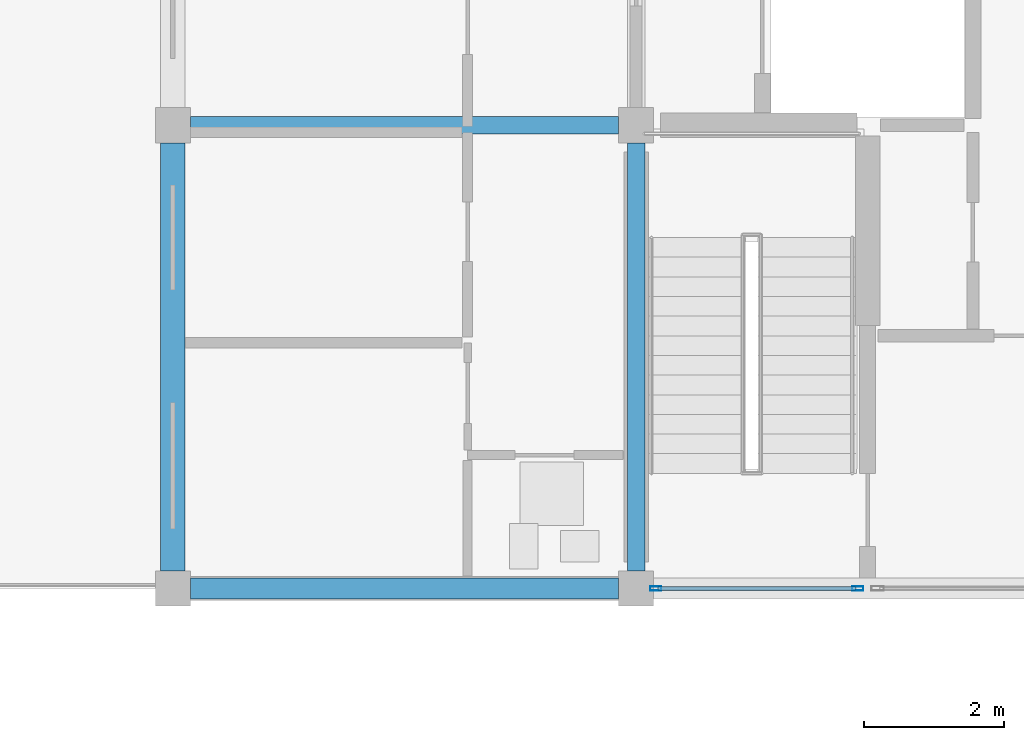
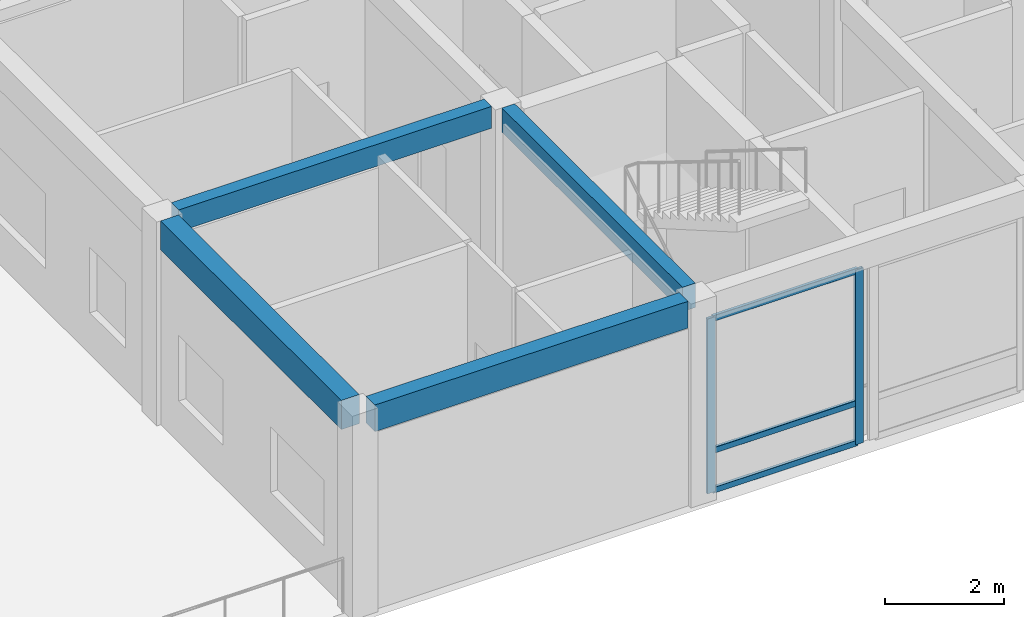
# One storey, part 20 of 92: 5 members, 4 beams, 1 element without a shape of its own.
"""IFC4 building model written with IfcOpenShell, lengths in metres."""

from ifc_helpers import new_model, si_unit, direction, frame, origin, origin_2d, place, context, subcontext, project, spatial, rectangle, hollow_rectangle, extrude, material, material_profile, profile_set, type_object, element, aggregate, save


model = new_model("IFC4")

# Units and contexts
model_context = context("Model", 3, precision=1e-05, world=origin(), true_north=direction((0.0, 1.0)))
body_context = subcontext(model_context, "Body", "Model", "MODEL_VIEW")
ifc_project = project(units=[si_unit("LENGTHUNIT", "METRE"), si_unit("AREAUNIT", "SQUARE_METRE"), si_unit("VOLUMEUNIT", "CUBIC_METRE"), si_unit("PLANEANGLEUNIT", "RADIAN"), si_unit("MASSUNIT", "GRAM", prefix="KILO")], contexts=[model_context])

# Site, building, storey
site_placement = place(None, origin())
site = spatial("IfcSite", under=ifc_project, at=site_placement, CompositionType="ELEMENT")
building_placement = place(site_placement, origin())
building = spatial("IfcBuilding", under=site, at=building_placement, Name="Kernevlak Ridge Housing Community", CompositionType="ELEMENT")
storey_placement = place(building_placement, frame((0.0, 0.0, 4.199951171875)))
storey = spatial("IfcBuildingStorey", under=building, at=storey_placement, Name="L01", CompositionType="ELEMENT", Elevation=4.199951171875)

# Beams
ifc_material_1 = material(Name="Concrete C35/45", Category="concrete")
ifc_material_profile_1 = material_profile(ifc_material_1, rectangle(XDim=0.25, YDim=0.449951171875, at=origin_2d()), Name="RC 250x450")
ifc_profile_set_1 = profile_set([ifc_material_profile_1], Name="Concrete C35/45")
beam_type_1 = type_object("IfcBeamType", Name="B-04", PredefinedType="T_BEAM", material=ifc_profile_set_1)
beam_1_placement = place(storey_placement, frame((126.25, 22.199951171875, 3.97509765625), z_axis=(1.0, 0.0, 0.0), x_axis=(0.0, 1.0, 0.0)))
element("IfcBeam", 1, at=beam_1_placement, inside=storey, type_object=beam_type_1, Name="Beam B-04 L01 1036", PredefinedType="T_BEAM", context=body_context, shape_type="SweptSolid", body=[
    extrude(rectangle(XDim=0.25, YDim=0.449951171875, at=origin_2d()), origin(), (0.0, 0.0, 1.0), 6.10009765625),
])
ifc_material_profile_2 = material_profile(ifc_material_1, rectangle(XDim=0.25, YDim=0.5, at=origin_2d()), Name="RC 250x500")
ifc_profile_set_2 = profile_set([ifc_material_profile_2], Name="Concrete C35/45")
beam_type_2 = type_object("IfcBeamType", Name="B-06", PredefinedType="T_BEAM", material=ifc_profile_set_2)
beam_2_placement = place(storey_placement, frame((132.60009765625, 15.85009765625, 3.949951171875), z_axis=(0.0, 1.0, 0.0), x_axis=(-1.0, 0.0, 0.0)))
element("IfcBeam", 2, at=beam_2_placement, inside=storey, type_object=beam_type_2, Name="Beam B-06 L01 1021", PredefinedType="T_BEAM", context=body_context, shape_type="SweptSolid", body=[
    extrude(rectangle(XDim=0.25, YDim=0.5, at=origin_2d()), origin(), (0.0, 0.0, 1.0), 6.099853515625),
])

# Curtain wall, members
ifc_material_2 = material(Name="Aluminium EN AW-6060 anodised and laminated glass", Category="aluminium")
curtain_wall_type = type_object("IfcCurtainWallType", Name="CW-08", PredefinedType="NOTDEFINED", material=ifc_material_2)
curtain_wall_placement = place(storey_placement, origin())
curtain_wall = element("IfcCurtainWall", 3, at=curtain_wall_placement, inside=storey, type_object=curtain_wall_type, Name="Curtain wall CW-08 CW-L01-103", PredefinedType="NOTDEFINED")
ifc_material_3 = material(Name="Aluminium EN AW-6060 anodised", Category="aluminium")
ifc_material_profile_3 = material_profile(ifc_material_3, hollow_rectangle(XDim=0.06005859375, YDim=0.159912109375, WallThickness=0.00390625, InnerFilletRadius=0.001953125, OuterFilletRadius=0.00390625, at=origin_2d()), Name="ALU 60x160x4")
ifc_profile_set_3 = profile_set([ifc_material_profile_3], Name="Aluminium EN AW-6060 anodised")
member_type_1 = type_object("IfcMemberType", Name="MU-02", PredefinedType="MULLION", material=ifc_profile_set_3)
member_1_placement = place(storey_placement, frame((132.8798828125, 15.60009765625, 0.0), z_axis=(0.0, 0.0, 1.0), x_axis=(0.0, 1.0, 0.0)))
member_1 = element("IfcMember", 4, at=member_1_placement, type_object=member_type_1, Name="CW-08 mullion 1", PredefinedType="MULLION", context=body_context, shape_type="SweptSolid", body=[
    extrude(hollow_rectangle(XDim=0.06005859375, YDim=0.159912109375, WallThickness=0.00390625, InnerFilletRadius=0.001953125, OuterFilletRadius=0.00390625, at=origin_2d()), origin(), (0.0, 0.0, 1.0), 3.60009765625),
])
member_2_placement = place(storey_placement, frame((135.760009765625, 15.60009765625, 0.0), z_axis=(0.0, 0.0, 1.0), x_axis=(0.0, 1.0, 0.0)))
member_2 = element("IfcMember", 5, at=member_2_placement, type_object=member_type_1, Name="CW-08 mullion 2", PredefinedType="MULLION", context=body_context, shape_type="SweptSolid", body=[
    extrude(hollow_rectangle(XDim=0.06005859375, YDim=0.159912109375, WallThickness=0.00390625, InnerFilletRadius=0.001953125, OuterFilletRadius=0.00390625, at=origin_2d()), origin(), (0.0, 0.0, 1.0), 3.60009765625),
])

# Beams
ifc_material_profile_4 = material_profile(ifc_material_1, rectangle(XDim=0.300048828125, YDim=0.550048828125, at=origin_2d()), Name="RC 300x550")
ifc_profile_set_4 = profile_set([ifc_material_profile_4], Name="Concrete C35/45")
beam_type_3 = type_object("IfcBeamType", Name="SP-01", PredefinedType="SPANDREL", material=ifc_profile_set_4)
beam_3_placement = place(storey_placement, frame((126.25, 15.60009765625, 3.925048828125), z_axis=(1.0, 0.0, 0.0), x_axis=(0.0, 1.0, 0.0)))
element("IfcBeam", 6, at=beam_3_placement, inside=storey, type_object=beam_type_3, Name="Beam SP-01 L01 1033", PredefinedType="SPANDREL", context=body_context, shape_type="SweptSolid", body=[
    extrude(rectangle(XDim=0.300048828125, YDim=0.550048828125, at=origin_2d()), origin(), (0.0, 0.0, 1.0), 6.10009765625),
])
ifc_material_profile_5 = material_profile(ifc_material_1, rectangle(XDim=0.35009765625, YDim=0.60009765625, at=origin_2d()), Name="RC 350x600")
ifc_profile_set_5 = profile_set([ifc_material_profile_5], Name="Concrete C35/45")
beam_type_4 = type_object("IfcBeamType", Name="SP-03", PredefinedType="SPANDREL", material=ifc_profile_set_5)
beam_4_placement = place(storey_placement, frame((126.0, 15.85009765625, 3.900146484375), z_axis=(0.0, 1.0, 0.0), x_axis=(-1.0, 0.0, 0.0)))
element("IfcBeam", 7, at=beam_4_placement, inside=storey, type_object=beam_type_4, Name="Beam SP-03 L01 1017", PredefinedType="SPANDREL", context=body_context, shape_type="SweptSolid", body=[
    extrude(rectangle(XDim=0.35009765625, YDim=0.60009765625, at=origin_2d()), origin(), (0.0, 0.0, 1.0), 6.099853515625),
])

# Member
ifc_material_profile_6 = material_profile(ifc_material_3, hollow_rectangle(XDim=0.06005859375, YDim=0.1201171875, WallThickness=0.00390625, InnerFilletRadius=0.001953125, OuterFilletRadius=0.00390625, at=origin_2d()), Name="ALU 60x120x4")
ifc_profile_set_6 = profile_set([ifc_material_profile_6], Name="Aluminium EN AW-6060 anodised")
member_type_2 = type_object("IfcMemberType", Name="TM-02", PredefinedType="USERDEFINED", material=ifc_profile_set_6)
member_3_placement = place(storey_placement, frame((132.909912109375, 15.60009765625, 0.030029296875), z_axis=(1.0, 0.0, 0.0), x_axis=(0.0, 1.0, 0.0)))
member_3 = element("IfcMember", 8, at=member_3_placement, type_object=member_type_2, Name="CW-08 transom 1.1", ObjectType="TRANSOM", PredefinedType="USERDEFINED", context=body_context, shape_type="SweptSolid", body=[
    extrude(hollow_rectangle(XDim=0.06005859375, YDim=0.1201171875, WallThickness=0.00390625, InnerFilletRadius=0.001953125, OuterFilletRadius=0.00390625, at=origin_2d()), origin(), (0.0, 0.0, 1.0), 2.820068359375),
])

member_4_placement = place(storey_placement, frame((132.909912109375, 15.60009765625, 0.85009765625), z_axis=(1.0, 0.0, 0.0), x_axis=(0.0, 1.0, 0.0)))
member_4 = element("IfcMember", 9, at=member_4_placement, type_object=member_type_2, Name="CW-08 transom 1.2", ObjectType="TRANSOM", PredefinedType="USERDEFINED", context=body_context, shape_type="SweptSolid", body=[
    extrude(hollow_rectangle(XDim=0.06005859375, YDim=0.1201171875, WallThickness=0.00390625, InnerFilletRadius=0.001953125, OuterFilletRadius=0.00390625, at=origin_2d()), origin(), (0.0, 0.0, 1.0), 2.820068359375),
])

member_5_placement = place(storey_placement, frame((132.909912109375, 15.60009765625, 3.570068359375), z_axis=(1.0, 0.0, 0.0), x_axis=(0.0, 1.0, 0.0)))
member_5 = element("IfcMember", 10, at=member_5_placement, type_object=member_type_2, Name="CW-08 transom 1.3", ObjectType="TRANSOM", PredefinedType="USERDEFINED", context=body_context, shape_type="SweptSolid", body=[
    extrude(hollow_rectangle(XDim=0.06005859375, YDim=0.1201171875, WallThickness=0.00390625, InnerFilletRadius=0.001953125, OuterFilletRadius=0.00390625, at=origin_2d()), origin(), (0.0, 0.0, 1.0), 2.820068359375),
])

aggregate(curtain_wall, [member_1, member_2, member_3, member_4, member_5])

save(model, "model.ifc")
